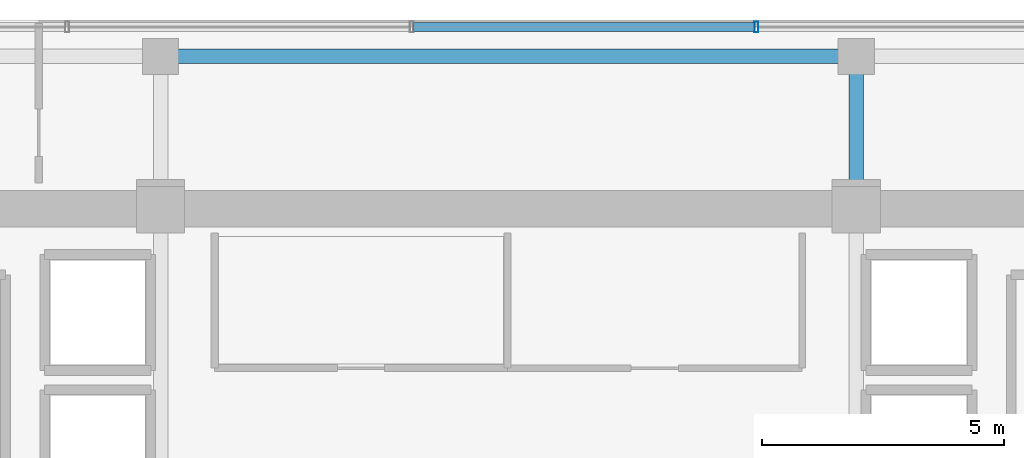
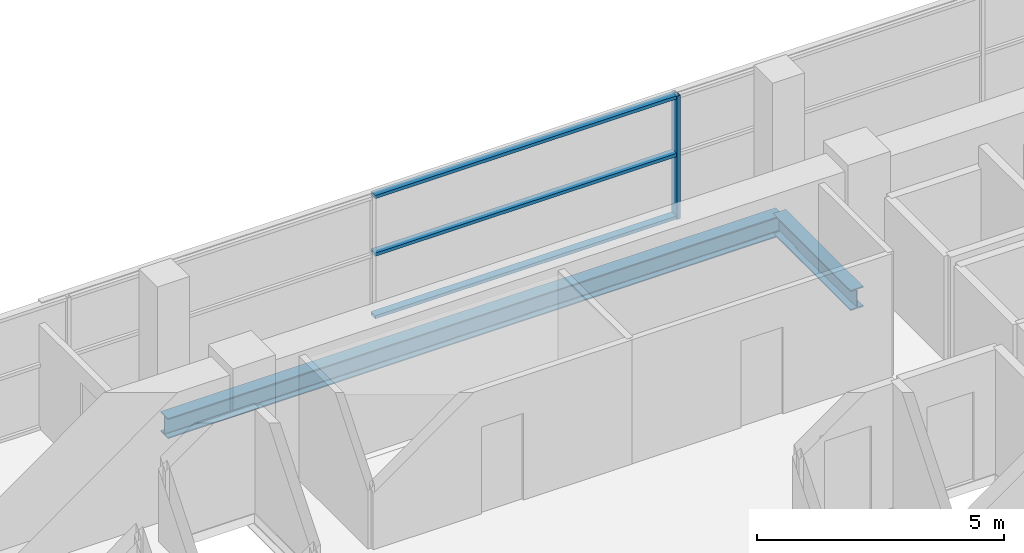
# One storey, part 15 of 25: 4 members, 2 beams, 1 element without a shape of its own.
"""IFC4 building model written with IfcOpenShell, lengths in metres."""

from ifc_helpers import new_model, si_unit, direction, frame, origin, origin_2d, place, context, subcontext, project, spatial, hollow_rectangle, i_section, extrude, source, transform, mapped, material, layer, layer_set, material_profile, profile_set, type_object, element, aggregate, save


model = new_model("IFC4")

# Units and contexts
model_context = context("Model", 3, precision=1e-05, world=origin(), true_north=direction((0.0, 1.0)))
body_context = subcontext(model_context, "Body", "Model", "MODEL_VIEW")
ifc_project = project(units=[si_unit("LENGTHUNIT", "METRE"), si_unit("AREAUNIT", "SQUARE_METRE"), si_unit("VOLUMEUNIT", "CUBIC_METRE"), si_unit("PLANEANGLEUNIT", "RADIAN"), si_unit("MASSUNIT", "GRAM", prefix="KILO")], contexts=[model_context])

# Site, building, storey
site_placement = place(None, origin())
site = spatial("IfcSite", under=ifc_project, at=site_placement, CompositionType="ELEMENT")
building_placement = place(site_placement, origin())
building = spatial("IfcBuilding", under=site, at=building_placement, Name="Zarnakvel Exchange Tower", CompositionType="ELEMENT")
storey_placement = place(building_placement, frame((0.0, 0.0, 156.10009765625)))
storey = spatial("IfcBuildingStorey", under=building, at=storey_placement, Name="L43", CompositionType="ELEMENT", Elevation=156.10009765625)

# Beams
ifc_material_1 = material(Name="Steel S355", Category="steel")
ifc_material_profile_1 = material_profile(ifc_material_1, i_section(OverallWidth=0.300048828125, OverallDepth=0.5, WebThickness=0.014404296875, FlangeThickness=0.028076171875, FilletRadius=0.027099609375, at=origin_2d()))
ifc_profile_set_1 = profile_set([ifc_material_profile_1], Name="Steel S355")
beam_type_1 = type_object("IfcBeamType", Name="G-06", PredefinedType="BEAM", material=ifc_profile_set_1)
beam_1_placement = place(storey_placement, frame((7.199951171875, 13.5, -0.47509765625), z_axis=(0.0, 1.0, 0.0), x_axis=(-1.0, 0.0, 0.0)))
element("IfcBeam", 1, at=beam_1_placement, inside=storey, type_object=beam_type_1, Name="L43 Tower N-S Frame Beam", PredefinedType="BEAM", context=body_context, shape_type="SweptSolid", body=[
    extrude(i_section(OverallWidth=0.300048828125, OverallDepth=0.5, WebThickness=0.014404296875, FlangeThickness=0.028076171875, FilletRadius=0.027099609375, at=origin_2d()), origin(), (0.0, 0.0, 1.0), 3.14990234375),
])
ifc_material_profile_2 = material_profile(ifc_material_1, i_section(OverallWidth=0.300048828125, OverallDepth=0.5, WebThickness=0.014404296875, FlangeThickness=0.028076171875, FilletRadius=0.027099609375, at=origin_2d()))
ifc_profile_set_2 = profile_set([ifc_material_profile_2], Name="Steel S355")
beam_type_2 = type_object("IfcBeamType", Name="SP-02", PredefinedType="SPANDREL", material=ifc_profile_set_2)
beam_2_placement = place(storey_placement, frame((-7.199951171875, 16.64990234375, -0.47509765625), z_axis=(1.0, 0.0, 0.0), x_axis=(0.0, 1.0, 0.0)))
element("IfcBeam", 2, at=beam_2_placement, inside=storey, type_object=beam_type_2, Name="L43 Tower E-W Frame Beam", PredefinedType="SPANDREL", context=body_context, shape_type="SweptSolid", body=[
    extrude(i_section(OverallWidth=0.300048828125, OverallDepth=0.5, WebThickness=0.014404296875, FlangeThickness=0.028076171875, FilletRadius=0.027099609375, at=origin_2d()), origin(), (0.0, 0.0, 1.0), 14.39990234375),
])

# Curtain wall, members
ifc_material_2 = material(Name="Architectural Bronze Anodised Aluminium", Category="aluminium")
ifc_layer = layer(ifc_material_2, 0.219970703125)
ifc_layer_set = layer_set([ifc_layer], Name="Architectural Bronze Anodised Aluminium")
curtain_wall_type = type_object("IfcCurtainWallType", Name="CW-03", PredefinedType="NOTDEFINED", material=ifc_layer_set)
curtain_wall_placement = place(storey_placement, origin())
curtain_wall = element("IfcCurtainWall", 3, at=curtain_wall_placement, inside=storey, type_object=curtain_wall_type, Name="L43 Curtain Wall CW-L43-N1 (CW-03)", PredefinedType="NOTDEFINED")
ifc_material_profile_3 = material_profile(ifc_material_2, hollow_rectangle(XDim=0.219970703125, YDim=0.080078125, WallThickness=0.0048828125, at=origin_2d()))
ifc_profile_set_3 = profile_set([ifc_material_profile_3], Name="Architectural Bronze Anodised Aluminium")
member_type_1 = type_object("IfcMemberType", Name="CWM-03", PredefinedType="MULLION", material=ifc_profile_set_3)
shared_shape_1 = source(origin(), body_context, "Body", "SweptSolid", [
    extrude(hollow_rectangle(XDim=0.219970703125, YDim=0.080078125, WallThickness=0.0048828125, at=origin_2d()), origin(), (0.0, 0.0, 1.0), 3.054931640625),
])
member_1_placement = place(storey_placement, frame((5.13330078125, 17.260009765625, 0.0), z_axis=(0.0, 0.0, 1.0), x_axis=(0.0, 1.0, 0.0)))
member_1 = element("IfcMember", 4, at=member_1_placement, type_object=member_type_1, Name="CW-03 mullion 5", PredefinedType="MULLION", context=body_context, shape_type="MappedRepresentation", body=[
    mapped(shared_shape_1, transform((0.0, 0.0, 0.0), x_axis=(1.0, 0.0, 0.0), y_axis=(0.0, 1.0, 0.0), z_axis=(0.0, 0.0, 1.0), scale=1.0)),
])
ifc_material_profile_4 = material_profile(ifc_material_2, hollow_rectangle(XDim=0.179931640625, YDim=0.080078125, WallThickness=0.00390625, at=origin_2d()))
ifc_profile_set_4 = profile_set([ifc_material_profile_4], Name="Architectural Bronze Anodised Aluminium")
member_type_2 = type_object("IfcMemberType", Name="CWT-03", PredefinedType="USERDEFINED", material=ifc_profile_set_4)
shared_shape_2 = source(origin(), body_context, "Body", "SweptSolid", [
    extrude(hollow_rectangle(XDim=0.179931640625, YDim=0.080078125, WallThickness=0.00390625, at=origin_2d()), origin(), (0.0, 0.0, 1.0), 7.05322265625),
])
member_2_placement = place(storey_placement, frame((-1.9599609375, 17.260009765625, 0.039794921875), z_axis=(1.0, 0.0, 0.0), x_axis=(0.0, 1.0, 0.0)))
member_2 = element("IfcMember", 5, at=member_2_placement, type_object=member_type_2, Name="CW-03 transom 4.1", ObjectType="TRANSOM", PredefinedType="USERDEFINED", context=body_context, shape_type="MappedRepresentation", body=[
    mapped(shared_shape_2, transform((0.0, 0.0, 0.0), x_axis=(1.0, 0.0, 0.0), y_axis=(0.0, 1.0, 0.0), z_axis=(0.0, 0.0, 1.0), scale=1.0)),
])
member_3_placement = place(storey_placement, frame((-1.9599609375, 17.260009765625, 1.588623046875), z_axis=(1.0, 0.0, 0.0), x_axis=(0.0, 1.0, 0.0)))
member_3 = element("IfcMember", 6, at=member_3_placement, type_object=member_type_2, Name="CW-03 transom 4.2", ObjectType="TRANSOM", PredefinedType="USERDEFINED", context=body_context, shape_type="MappedRepresentation", body=[
    mapped(shared_shape_2, transform((0.0, 0.0, 0.0), x_axis=(1.0, 0.0, 0.0), y_axis=(0.0, 1.0, 0.0), z_axis=(0.0, 0.0, 1.0), scale=1.0)),
])
member_4_placement = place(storey_placement, frame((-1.9599609375, 17.260009765625, 3.014892578125), z_axis=(1.0, 0.0, 0.0), x_axis=(0.0, 1.0, 0.0)))
member_4 = element("IfcMember", 7, at=member_4_placement, type_object=member_type_2, Name="CW-03 transom 4.3", ObjectType="TRANSOM", PredefinedType="USERDEFINED", context=body_context, shape_type="MappedRepresentation", body=[
    mapped(shared_shape_2, transform((0.0, 0.0, 0.0), x_axis=(1.0, 0.0, 0.0), y_axis=(0.0, 1.0, 0.0), z_axis=(0.0, 0.0, 1.0), scale=1.0)),
])
aggregate(curtain_wall, [member_1, member_2, member_3, member_4])

save(model, "model.ifc")
